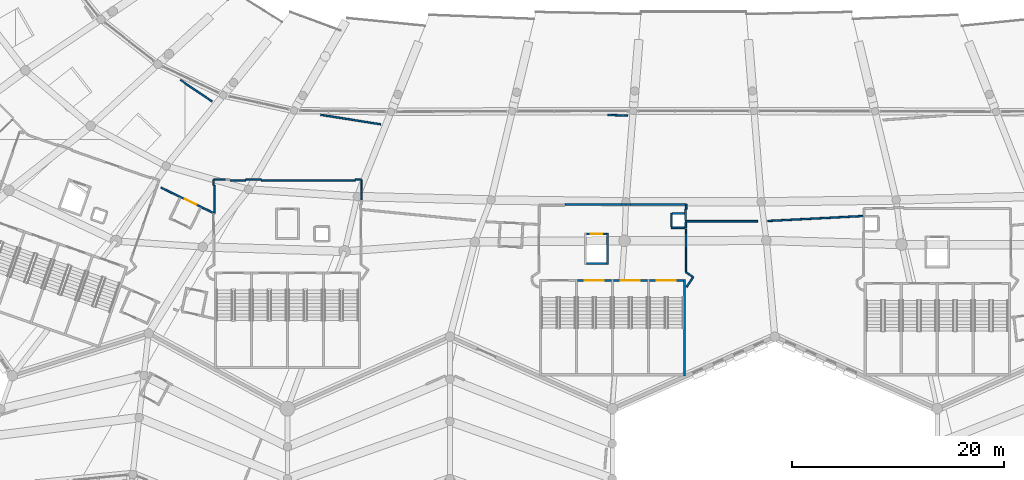
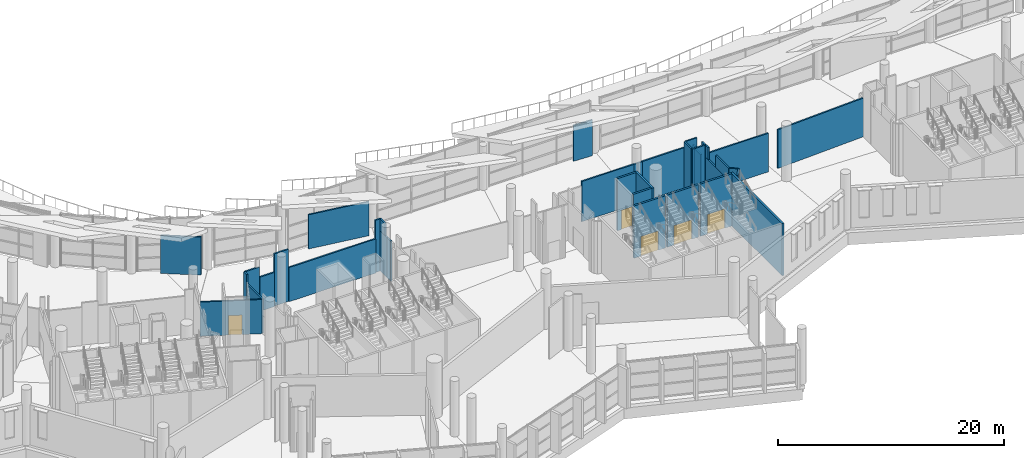
# One storey, part 143 of 249: 38 walls, 5 doors, 5 openings.
"""IFC4 building model written with IfcOpenShell, lengths in metres."""

from ifc_helpers import new_model, si_unit, direction, frame, frame_2d, origin, place, context, subcontext, project, spatial, rectangle, extrude, material, layer, layer_set, type_object, element, fill, save


model = new_model("IFC4")

# Units and contexts
model_context = context("Model", 3, precision=1e-05, world=origin(), true_north=direction((0.0, 1.0)))
body_context = subcontext(model_context, "Body", "Model", "MODEL_VIEW")
ifc_project = project(units=[si_unit("LENGTHUNIT", "METRE"), si_unit("AREAUNIT", "SQUARE_METRE"), si_unit("VOLUMEUNIT", "CUBIC_METRE"), si_unit("PLANEANGLEUNIT", "RADIAN"), si_unit("MASSUNIT", "GRAM", prefix="KILO")], contexts=[model_context])

# Site, building, storey
site_placement = place(None, origin())
site = spatial("IfcSite", under=ifc_project, at=site_placement, CompositionType="ELEMENT")
building_placement = place(site_placement, origin())
building = spatial("IfcBuilding", under=site, at=building_placement, Name="Meseta Stadium", CompositionType="ELEMENT")
storey_placement = place(building_placement, frame((0.0, 0.0, 12.0)))
storey = spatial("IfcBuildingStorey", under=building, at=storey_placement, Name="L02", CompositionType="ELEMENT", Elevation=12.0)

# Wall
ifc_material_1 = material(Name="Concrete C40/50", Category="concrete")
ifc_layer_1 = layer(ifc_material_1, 0.199951171875)
ifc_layer_set_1 = layer_set([ifc_layer_1], Name="Core shaft wall 200")
wall_type_1 = type_object("IfcWallType", Name="Core shaft wall 200", PredefinedType="SHEAR", material=ifc_layer_set_1)
wall_1_placement = place(storey_placement, frame((-0.86669921875, -102.300048828125, 0.0), z_axis=(0.0, 0.0, 1.0), x_axis=(0.0, 1.0, 0.0)))
element("IfcWall", 1, at=wall_1_placement, inside=storey, type_object=wall_type_1, Name="Core 24 L02 stair wall B-side", PredefinedType="SHEAR", context=body_context, shape_type="SweptSolid", body=[
    extrude(rectangle(XDim=9.10009765625, YDim=0.199951171875, at=frame_2d((4.550048828125, 0.0))), origin(), (0.0, 0.0, 1.0), 5.64990234375),
])

# Wall, opening, door
wall_2_placement = place(storey_placement, frame((-10.966796875, -93.300048828125, 0.0), z_axis=(0.0, 0.0, 1.0), x_axis=(1.0, 0.0, 0.0)))
wall_2 = element("IfcWall", 2, at=wall_2_placement, inside=storey, type_object=wall_type_1, Name="Core 24 L02 stair A2 inner end wall", PredefinedType="SHEAR", context=body_context, shape_type="SweptSolid", body=[
    extrude(rectangle(XDim=3.2001953125, YDim=0.199951171875, at=frame_2d((1.60009765625, 0.0))), origin(), (0.0, 0.0, 1.0), 5.64990234375),
])
opening_1_placement = place(wall_2_placement, frame((0.699951171875, 0.0, 0.0)))
opening_1 = element("IfcOpeningElement", 3, at=opening_1_placement, cuts=wall_2, Name="Opening D1119", PredefinedType="OPENING", context=body_context, shape_type="SweptSolid", body=[
    extrude(rectangle(XDim=1.800048828125, YDim=2.10009765625, at=frame_2d((0.89990234375, 1.050048828125))), frame((0.0, 0.10986328125, 0.0), z_axis=(0.0, -1.0, 0.0), x_axis=(1.0, 0.0, 0.0)), (0.0, 0.0, 1.0), 0.219970703125),
])
ifc_material_2 = material(Name="Steel", Category="steel")
door_type_1 = type_object("IfcDoorType", Name="Stair door 1800x2100", OperationType="DOUBLE_DOOR_SINGLE_SWING", PredefinedType="DOOR", material=ifc_material_2)
door_1_placement = place(opening_1_placement, origin())
door_1 = element("IfcDoor", 4, at=door_1_placement, inside=storey, type_object=door_type_1, Name="Stair A2 door 24 L02", OperationType="DOUBLE_DOOR_SINGLE_SWING", OverallHeight=2.10009765625, OverallWidth=1.800048828125, PredefinedType="DOOR", context=body_context, shape_type="SweptSolid", body=[
    extrude(rectangle(XDim=1.800048828125, YDim=2.10009765625, at=frame_2d((0.89990234375, 1.050048828125))), frame((0.0, 0.02490234375, 0.0), z_axis=(0.0, -1.0, 0.0), x_axis=(1.0, 0.0, 0.0)), (0.0, 0.0, 1.0), 0.050048828125),
])
fill(opening_1, door_1)

wall_3_placement = place(storey_placement, frame((-7.566650390625, -93.300048828125, 0.0), z_axis=(0.0, 0.0, 1.0), x_axis=(1.0, 0.0, 0.0)))
wall_3 = element("IfcWall", 5, at=wall_3_placement, inside=storey, type_object=wall_type_1, Name="Core 24 L02 stair B1 inner end wall", PredefinedType="SHEAR", context=body_context, shape_type="SweptSolid", body=[
    extrude(rectangle(XDim=3.199951171875, YDim=0.199951171875, at=frame_2d((1.60009765625, 0.0))), origin(), (0.0, 0.0, 1.0), 5.64990234375),
])
opening_2_placement = place(wall_3_placement, frame((0.699951171875, 0.0, 0.0)))
opening_2 = element("IfcOpeningElement", 6, at=opening_2_placement, cuts=wall_3, Name="Opening D1120", PredefinedType="OPENING", context=body_context, shape_type="SweptSolid", body=[
    extrude(rectangle(XDim=1.800048828125, YDim=2.10009765625, at=frame_2d((0.89990234375, 1.050048828125))), frame((0.0, 0.10986328125, 0.0), z_axis=(0.0, -1.0, 0.0), x_axis=(1.0, 0.0, 0.0)), (0.0, 0.0, 1.0), 0.219970703125),
])
door_2_placement = place(opening_2_placement, origin())
door_2 = element("IfcDoor", 7, at=door_2_placement, inside=storey, type_object=door_type_1, Name="Stair B1 door 24 L02", OperationType="DOUBLE_DOOR_SINGLE_SWING", OverallHeight=2.10009765625, OverallWidth=1.800048828125, PredefinedType="DOOR", context=body_context, shape_type="SweptSolid", body=[
    extrude(rectangle(XDim=1.800048828125, YDim=2.10009765625, at=frame_2d((0.89990234375, 1.050048828125))), frame((0.0, 0.02490234375, 0.0), z_axis=(0.0, -1.0, 0.0), x_axis=(1.0, 0.0, 0.0)), (0.0, 0.0, 1.0), 0.050048828125),
])
fill(opening_2, door_2)

wall_4_placement = place(storey_placement, frame((-4.166748046875, -93.300048828125, 0.0), z_axis=(0.0, 0.0, 1.0), x_axis=(1.0, 0.0, 0.0)))
wall_4 = element("IfcWall", 8, at=wall_4_placement, inside=storey, type_object=wall_type_1, Name="Core 24 L02 stair B2 inner end wall", PredefinedType="SHEAR", context=body_context, shape_type="SweptSolid", body=[
    extrude(rectangle(XDim=3.199951171875, YDim=0.199951171875, at=frame_2d((1.60009765625, 0.0))), origin(), (0.0, 0.0, 1.0), 5.64990234375),
])
opening_3_placement = place(wall_4_placement, frame((0.699951171875, 0.0, 0.0)))
opening_3 = element("IfcOpeningElement", 9, at=opening_3_placement, cuts=wall_4, Name="Opening D1121", PredefinedType="OPENING", context=body_context, shape_type="SweptSolid", body=[
    extrude(rectangle(XDim=1.800048828125, YDim=2.10009765625, at=frame_2d((0.89990234375, 1.050048828125))), frame((0.0, 0.10986328125, 0.0), z_axis=(0.0, -1.0, 0.0), x_axis=(1.0, 0.0, 0.0)), (0.0, 0.0, 1.0), 0.219970703125),
])
door_3_placement = place(opening_3_placement, origin())
door_3 = element("IfcDoor", 10, at=door_3_placement, inside=storey, type_object=door_type_1, Name="Stair B2 door 24 L02", OperationType="DOUBLE_DOOR_SINGLE_SWING", OverallHeight=2.10009765625, OverallWidth=1.800048828125, PredefinedType="DOOR", context=body_context, shape_type="SweptSolid", body=[
    extrude(rectangle(XDim=1.800048828125, YDim=2.10009765625, at=frame_2d((0.89990234375, 1.050048828125))), frame((0.0, 0.02490234375, 0.0), z_axis=(0.0, -1.0, 0.0), x_axis=(1.0, 0.0, 0.0)), (0.0, 0.0, 1.0), 0.050048828125),
])
fill(opening_3, door_3)

# Walls
wall_5_placement = place(storey_placement, frame((-8.11669921875, -91.800048828125, 0.0), z_axis=(0.0, 0.0, 1.0), x_axis=(0.0, 1.0, 0.0)))
element("IfcWall", 11, at=wall_5_placement, inside=storey, type_object=wall_type_1, Name="Core 24 L02 lift shaft wall right", PredefinedType="SHEAR", context=body_context, shape_type="SweptSolid", body=[
    extrude(rectangle(XDim=3.0, YDim=0.199951171875, at=frame_2d((1.5, 0.0))), origin(), (0.0, 0.0, 1.0), 5.64990234375),
])
wall_6_placement = place(storey_placement, frame((-10.11669921875, -91.699951171875, 0.0), z_axis=(0.0, 0.0, 1.0), x_axis=(1.0, 0.0, 0.0)))
element("IfcWall", 12, at=wall_6_placement, inside=storey, type_object=wall_type_1, Name="Core 24 L02 lift shaft back wall", PredefinedType="SHEAR", context=body_context, shape_type="SweptSolid", body=[
    extrude(rectangle(XDim=1.89990234375, YDim=0.199951171875, at=frame_2d((0.949951171875, 0.0))), origin(), (0.0, 0.0, 1.0), 5.64990234375),
])

# Wall, opening, door
wall_7_placement = place(storey_placement, frame((-10.11669921875, -88.89990234375, 0.0), z_axis=(0.0, 0.0, 1.0), x_axis=(1.0, 0.0, 0.0)))
wall_7 = element("IfcWall", 13, at=wall_7_placement, inside=storey, type_object=wall_type_1, Name="Core 24 L02 lift shaft front wall", PredefinedType="SHEAR", context=body_context, shape_type="SweptSolid", body=[
    extrude(rectangle(XDim=1.89990234375, YDim=0.199951171875, at=frame_2d((0.949951171875, 0.0))), origin(), (0.0, 0.0, 1.0), 5.64990234375),
])
opening_4_placement = place(wall_7_placement, frame((0.39990234375, 0.0, 0.0)))
opening_4 = element("IfcOpeningElement", 14, at=opening_4_placement, cuts=wall_7, Name="Opening LD132", PredefinedType="OPENING", context=body_context, shape_type="SweptSolid", body=[
    extrude(rectangle(XDim=1.10009765625, YDim=2.10009765625, at=frame_2d((0.550048828125, 1.050048828125))), frame((0.0, 0.10986328125, 0.0), z_axis=(0.0, -1.0, 0.0), x_axis=(1.0, 0.0, 0.0)), (0.0, 0.0, 1.0), 0.219970703125),
])
ifc_material_3 = material(Name="Steel", Category="steel")
door_type_2 = type_object("IfcDoorType", Name="Lift landing door 1100x2100", OperationType="SLIDING_TO_LEFT", PredefinedType="DOOR", material=ifc_material_3)
door_4_placement = place(opening_4_placement, origin())
door_4 = element("IfcDoor", 15, at=door_4_placement, inside=storey, type_object=door_type_2, Name="Lift landing door LD132", OperationType="SLIDING_TO_RIGHT", OverallHeight=2.10009765625, OverallWidth=1.10009765625, PredefinedType="DOOR", context=body_context, shape_type="SweptSolid", body=[
    extrude(rectangle(XDim=1.10009765625, YDim=2.10009765625, at=frame_2d((0.550048828125, 1.050048828125))), frame((0.0, 0.02490234375, 0.0), z_axis=(0.0, -1.0, 0.0), x_axis=(1.0, 0.0, 0.0)), (0.0, 0.0, 1.0), 0.050048828125),
])
fill(opening_4, door_4)

# Walls
ifc_material_4 = material(Name="Masonry blockwork", Category="masonry")
ifc_layer_2 = layer(ifc_material_4, 0.14990234375)
ifc_layer_set_2 = layer_set([ifc_layer_2], Name="Partition 150")
wall_type_2 = type_object("IfcWallType", Name="Partition 150", PredefinedType="PARTITIONING", material=ifc_layer_set_2)
wall_8_placement = place(storey_placement, frame((-48.431884765625, -74.37158203125, 0.0), z_axis=(0.0, 0.0, 1.0), x_axis=(0.825645692155, -0.56418896748, 0.0)))
element("IfcWall", 16, at=wall_8_placement, inside=storey, type_object=wall_type_2, Name="Partition L02 L02-cell20-0-0", PredefinedType="PARTITIONING", context=body_context, shape_type="SweptSolid", body=[
    extrude(rectangle(XDim=3.608154296875, YDim=0.14990234375, at=frame_2d((1.80419921875, 0.0))), origin(), (0.0, 0.0, 1.0), 4.118408203125),
])
wall_9_placement = place(storey_placement, frame((-35.210693359375, -77.658203125, 0.0), z_axis=(0.0, 0.0, 1.0), x_axis=(0.987660465211, -0.156610361914, 0.0)))
element("IfcWall", 17, at=wall_9_placement, inside=storey, type_object=wall_type_2, Name="Partition L02 L02-cell21-0-0", PredefinedType="PARTITIONING", context=body_context, shape_type="SweptSolid", body=[
    extrude(rectangle(XDim=5.747802734375, YDim=0.14990234375, at=frame_2d((2.8740234375, 0.0))), origin(), (0.0, 0.0, 1.0), 3.696533203125),
])
wall_10_placement = place(storey_placement, frame((-31.92626953125, -83.85107421875, 0.0), z_axis=(0.0, 0.0, 1.0), x_axis=(-1.0, 0.0, 0.0)))
element("IfcWall", 18, at=wall_10_placement, inside=storey, type_object=wall_type_2, Name="Partition L02 L02-cell21-0-0", PredefinedType="PARTITIONING", context=body_context, shape_type="SweptSolid", body=[
    extrude(rectangle(XDim=8.871337890625, YDim=0.14990234375, at=frame_2d((4.435546875, 0.0))), origin(), (0.0, 0.0, 1.0), 3.696533203125),
])
wall_11_placement = place(storey_placement, frame((-42.276123046875, -83.85107421875, 0.0), z_axis=(0.0, 0.0, 1.0), x_axis=(-1.0, 0.0, 0.0)))
element("IfcWall", 19, at=wall_11_placement, inside=storey, type_object=wall_type_2, Name="Partition L02 L02-cell21-0-0", PredefinedType="PARTITIONING", context=body_context, shape_type="SweptSolid", body=[
    extrude(rectangle(XDim=1.478759765625, YDim=0.14990234375, at=frame_2d((0.7392578125, 0.0))), origin(), (0.0, 0.0, 1.0), 3.696533203125),
])
wall_12_placement = place(storey_placement, frame((-45.2333984375, -84.29638671875, 0.0), z_axis=(0.0, 0.0, 1.0), x_axis=(0.0, -1.0, 0.0)))
element("IfcWall", 20, at=wall_12_placement, inside=storey, type_object=wall_type_2, Name="Partition L02 L02-cell21-0-0", PredefinedType="PARTITIONING", context=body_context, shape_type="SweptSolid", body=[
    extrude(rectangle(XDim=2.671142578125, YDim=0.14990234375, at=frame_2d((1.33544921875, 0.0))), origin(), (0.0, 0.0, 1.0), 3.696533203125),
])

# Wall, opening, door
wall_13_placement = place(storey_placement, frame((-45.308349609375, -86.931396484375, 0.0), z_axis=(0.0, 0.0, 1.0), x_axis=(-0.90052298219, 0.434808415911, 0.0)))
wall_13 = element("IfcWall", 21, at=wall_13_placement, inside=storey, type_object=wall_type_2, Name="Partition L02 L02-cell21-0-0", PredefinedType="PARTITIONING", context=body_context, shape_type="SweptSolid", body=[
    extrude(rectangle(XDim=5.521728515625, YDim=0.14990234375, at=frame_2d((2.7607421875, 0.0))), origin(), (0.0, 0.0, 1.0), 3.696533203125),
])
opening_5_placement = place(wall_13_placement, frame((1.800048828125, 0.0, 0.0)))
opening_5 = element("IfcOpeningElement", 22, at=opening_5_placement, cuts=wall_13, Name="Opening D1089", PredefinedType="OPENING", context=body_context, shape_type="SweptSolid", body=[
    extrude(rectangle(XDim=1.199951171875, YDim=2.10009765625, at=frame_2d((0.60009765625, 1.050048828125))), frame((0.0, 0.0849609375, 0.0), z_axis=(0.0, -1.0, 0.0), x_axis=(1.0, 0.0, 0.0)), (0.0, 0.0, 1.0), 0.169921875),
])
ifc_material_5 = material(Name="Steel", Category="steel")
door_type_3 = type_object("IfcDoorType", Name="Fire door 1200x2100 EI2 60", OperationType="NOTDEFINED", PredefinedType="DOOR", material=ifc_material_5)
door_5_placement = place(opening_5_placement, origin())
door_5 = element("IfcDoor", 23, at=door_5_placement, inside=storey, type_object=door_type_3, Name="Room door L02 L02-cell21-0-0", OperationType="SINGLE_SWING_LEFT", OverallHeight=2.10009765625, OverallWidth=1.199951171875, PredefinedType="DOOR", context=body_context, shape_type="SweptSolid", body=[
    extrude(rectangle(XDim=1.199951171875, YDim=2.10009765625, at=frame_2d((0.60009765625, 1.050048828125))), frame((0.0, 0.02490234375, 0.0), z_axis=(0.0, -1.0, 0.0), x_axis=(1.0, 0.0, 0.0)), (0.0, 0.0, 1.0), 0.050048828125),
])
fill(opening_5, door_5)

# Walls
wall_14_placement = place(storey_placement, frame((-8.122802734375, -77.671142578125, 0.0), z_axis=(0.0, 0.0, 1.0), x_axis=(0.999290037332, -0.037675207871, 0.0)))
element("IfcWall", 24, at=wall_14_placement, inside=storey, type_object=wall_type_2, Name="Partition L02 L02-cell22-0-0", PredefinedType="PARTITIONING", context=body_context, shape_type="SweptSolid", body=[
    extrude(rectangle(XDim=1.9052734375, YDim=0.14990234375, at=frame_2d((0.95263671875, 0.0))), origin(), (0.0, 0.0, 1.0), 3.872802734375),
])
wall_15_placement = place(storey_placement, frame((16.02490234375, -87.2138671875, 0.0), z_axis=(0.0, 0.0, 1.0), x_axis=(-0.998660530851, -0.051741126006, 0.0)))
element("IfcWall", 25, at=wall_15_placement, inside=storey, type_object=wall_type_2, Name="Partition L02 L02-cell23-0-0", PredefinedType="PARTITIONING", context=body_context, shape_type="SweptSolid", body=[
    extrude(rectangle(XDim=9.026611328125, YDim=0.14990234375, at=frame_2d((4.51318359375, 0.0))), origin(), (0.0, 0.0, 1.0), 4.181396484375),
])
wall_16_placement = place(storey_placement, frame((6.045654296875, -87.705810546875, 0.0), z_axis=(0.0, 0.0, 1.0), x_axis=(-1.0, 0.0, 0.0)))
element("IfcWall", 26, at=wall_16_placement, inside=storey, type_object=wall_type_2, Name="Partition L02 L02-cell23-0-0", PredefinedType="PARTITIONING", context=body_context, shape_type="SweptSolid", body=[
    extrude(rectangle(XDim=6.812255859375, YDim=0.14990234375, at=frame_2d((3.40625, 0.0))), origin(), (0.0, 0.0, 1.0), 4.181396484375),
])
wall_17_placement = place(storey_placement, frame((-0.7666015625, -87.630859375, 0.0), z_axis=(0.0, 0.0, 1.0), x_axis=(0.0, 1.0, 0.0)))
element("IfcWall", 27, at=wall_17_placement, inside=storey, type_object=wall_type_2, Name="Partition L02 L02-cell23-0-0", PredefinedType="PARTITIONING", context=body_context, shape_type="SweptSolid", body=[
    extrude(rectangle(XDim=1.054443359375, YDim=0.14990234375, at=frame_2d((0.52734375, 0.0))), origin(), (0.0, 0.0, 1.0), 4.181396484375),
])
wall_18_placement = place(storey_placement, frame((-31.3583984375, -85.044189453125, 0.0), z_axis=(0.0, 0.0, 1.0), x_axis=(0.0, 1.0, 0.0)))
element("IfcWall", 28, at=wall_18_placement, inside=storey, type_object=wall_type_2, Name="Stair vestibule wall L02 core 23", PredefinedType="PARTITIONING", context=body_context, shape_type="SweptSolid", body=[
    extrude(rectangle(XDim=1.26806640625, YDim=0.14990234375, at=frame_2d((0.634033203125, 0.0))), origin(), (0.0, 0.0, 1.0), 4.35009765625),
])
wall_19_placement = place(storey_placement, frame((-31.3583984375, -84.701171875, 4.35009765625), z_axis=(0.0, 0.0, 1.0), x_axis=(0.0, 1.0, 0.0)))
element("IfcWall", 29, at=wall_19_placement, inside=storey, type_object=wall_type_2, Name="Stair vestibule wall L02 core 23", PredefinedType="PARTITIONING", context=body_context, shape_type="SweptSolid", body=[
    extrude(rectangle(XDim=0.925048828125, YDim=0.14990234375, at=frame_2d((0.46240234375, 0.0))), origin(), (0.0, 0.0, 1.0), 1.2998046875),
])
wall_20_placement = place(storey_placement, frame((-31.3583984375, -83.776123046875, 0.0), z_axis=(0.0, 0.0, 1.0), x_axis=(-1.0, 0.0, 0.0)))
element("IfcWall", 30, at=wall_20_placement, inside=storey, type_object=wall_type_2, Name="Stair vestibule wall L02 core 23", PredefinedType="PARTITIONING", context=body_context, shape_type="SweptSolid", body=[
    extrude(rectangle(XDim=0.557861328125, YDim=0.14990234375, at=frame_2d((0.27880859375, 0.0))), origin(), (0.0, 0.0, 1.0), 5.64990234375),
])
wall_21_placement = place(storey_placement, frame((-40.8076171875, -83.776123046875, 0.0), z_axis=(0.0, 0.0, 1.0), x_axis=(-1.0, 0.0, 0.0)))
element("IfcWall", 31, at=wall_21_placement, inside=storey, type_object=wall_type_2, Name="Stair vestibule wall L02 core 23", PredefinedType="PARTITIONING", context=body_context, shape_type="SweptSolid", body=[
    extrude(rectangle(XDim=1.45849609375, YDim=0.14990234375, at=frame_2d((0.729248046875, 0.0))), origin(), (0.0, 0.0, 1.0), 5.64990234375),
])
wall_22_placement = place(storey_placement, frame((-43.764892578125, -83.776123046875, 0.0), z_axis=(0.0, 0.0, 1.0), x_axis=(-1.0, 0.0, 0.0)))
element("IfcWall", 32, at=wall_22_placement, inside=storey, type_object=wall_type_2, Name="Stair vestibule wall L02 core 23", PredefinedType="PARTITIONING", context=body_context, shape_type="SweptSolid", body=[
    extrude(rectangle(XDim=1.543701171875, YDim=0.14990234375, at=frame_2d((0.77197265625, 0.0))), origin(), (0.0, 0.0, 1.0), 4.75),
])
wall_23_placement = place(storey_placement, frame((-45.30859375, -83.776123046875, 0.0), z_axis=(0.0, 0.0, 1.0), x_axis=(0.003347661777, -0.999994396565, 0.0)))
element("IfcWall", 33, at=wall_23_placement, inside=storey, type_object=wall_type_2, Name="Stair vestibule wall L02 core 23", PredefinedType="PARTITIONING", context=body_context, shape_type="SweptSolid", body=[
    extrude(rectangle(XDim=0.510498046875, YDim=0.14990234375, at=frame_2d((0.25537109375, 0.0))), origin(), (0.0, 0.0, 1.0), 4.75),
])
wall_24_placement = place(storey_placement, frame((-31.3583984375, -85.709228515625, 0.0), z_axis=(0.0, 0.0, 1.0), x_axis=(0.0, 1.0, 0.0)))
element("IfcWall", 34, at=wall_24_placement, inside=storey, type_object=wall_type_2, Name="Stair vestibule wall L02 core 23", PredefinedType="PARTITIONING", context=body_context, shape_type="SweptSolid", body=[
    extrude(rectangle(XDim=0.6650390625, YDim=0.14990234375, at=frame_2d((0.33251953125, 0.0))), origin(), (0.0, 0.0, 1.0), 4.35009765625),
])
wall_25_placement = place(storey_placement, frame((-2.091796875, -88.324951171875, 0.0), z_axis=(0.0, 0.0, 1.0), x_axis=(1.0, 0.0, 0.0)))
element("IfcWall", 35, at=wall_25_placement, inside=storey, type_object=wall_type_2, Name="Pressurisation shaft wall L02 core 24", PredefinedType="PARTITIONING", context=body_context, shape_type="SweptSolid", body=[
    extrude(rectangle(XDim=1.275146484375, YDim=0.14990234375, at=frame_2d((0.6376953125, 0.0))), origin(), (0.0, 0.0, 1.0), 5.64990234375),
])
wall_26_placement = place(storey_placement, frame((-0.74169921875, -88.324951171875, 0.0), z_axis=(0.0, 0.0, 1.0), x_axis=(0.0, 1.0, 0.0)))
element("IfcWall", 36, at=wall_26_placement, inside=storey, type_object=wall_type_2, Name="Pressurisation shaft wall L02 core 24", PredefinedType="PARTITIONING", context=body_context, shape_type="SweptSolid", body=[
    extrude(rectangle(XDim=0.543212890625, YDim=0.14990234375, at=frame_2d((0.271484375, 0.0))), origin(), (0.0, 0.0, 1.0), 5.64990234375),
])
wall_27_placement = place(storey_placement, frame((-0.8427734375, -86.97509765625, 0.0), z_axis=(0.0, 0.0, 1.0), x_axis=(-1.0, 0.0, 0.0)))
element("IfcWall", 37, at=wall_27_placement, inside=storey, type_object=wall_type_2, Name="Pressurisation shaft wall L02 core 24", PredefinedType="PARTITIONING", context=body_context, shape_type="SweptSolid", body=[
    extrude(rectangle(XDim=1.173828125, YDim=0.14990234375, at=frame_2d((0.5869140625, 0.0))), origin(), (0.0, 0.0, 1.0), 5.64990234375),
])
wall_28_placement = place(storey_placement, frame((-2.091796875, -86.97509765625, 0.0), z_axis=(0.0, 0.0, 1.0), x_axis=(0.0, -1.0, 0.0)))
element("IfcWall", 38, at=wall_28_placement, inside=storey, type_object=wall_type_2, Name="Pressurisation shaft wall L02 core 24", PredefinedType="PARTITIONING", context=body_context, shape_type="SweptSolid", body=[
    extrude(rectangle(XDim=1.27490234375, YDim=0.14990234375, at=frame_2d((0.637451171875, 0.0))), origin(), (0.0, 0.0, 1.0), 5.64990234375),
])
wall_29_placement = place(storey_placement, frame((-0.677001953125, -93.919677734375, 0.0), z_axis=(0.0, 0.0, 1.0), x_axis=(0.561972470497, 0.827155935966, 0.0)))
element("IfcWall", 39, at=wall_29_placement, inside=storey, type_object=wall_type_2, Name="Stair vestibule wall L02 core 24", PredefinedType="PARTITIONING", context=body_context, shape_type="SweptSolid", body=[
    extrude(rectangle(XDim=1.127685546875, YDim=0.14990234375, at=frame_2d((0.56396484375, 0.0))), origin(), (0.0, 0.0, 1.0), 5.64990234375),
])
wall_30_placement = place(storey_placement, frame((-0.043212890625, -92.98681640625, 0.0), z_axis=(0.0, 0.0, 1.0), x_axis=(-0.81774999294, 0.575573582652, 0.0)))
element("IfcWall", 40, at=wall_30_placement, inside=storey, type_object=wall_type_2, Name="Stair vestibule wall L02 core 24", PredefinedType="PARTITIONING", context=body_context, shape_type="SweptSolid", body=[
    extrude(rectangle(XDim=0.82958984375, YDim=0.14990234375, at=frame_2d((0.414794921875, 0.0))), origin(), (0.0, 0.0, 1.0), 5.64990234375),
])
wall_31_placement = place(storey_placement, frame((-0.7216796875, -92.50927734375, 0.0), z_axis=(0.0, 0.0, 1.0), x_axis=(0.0, 1.0, 0.0)))
element("IfcWall", 41, at=wall_31_placement, inside=storey, type_object=wall_type_2, Name="Stair vestibule wall L02 core 24", PredefinedType="PARTITIONING", context=body_context, shape_type="SweptSolid", body=[
    extrude(rectangle(XDim=4.103515625, YDim=0.14990234375, at=frame_2d((2.0517578125, 0.0))), origin(), (0.0, 0.0, 1.0), 4.35009765625),
])
wall_32_placement = place(storey_placement, frame((-0.7216796875, -92.50927734375, 4.35009765625), z_axis=(0.0, 0.0, 1.0), x_axis=(0.0, 1.0, 0.0)))
element("IfcWall", 42, at=wall_32_placement, inside=storey, type_object=wall_type_2, Name="Stair vestibule wall L02 core 24", PredefinedType="PARTITIONING", context=body_context, shape_type="SweptSolid", body=[
    extrude(rectangle(XDim=2.27978515625, YDim=0.14990234375, at=frame_2d((1.139892578125, 0.0))), origin(), (0.0, 0.0, 1.0), 1.2998046875),
])
wall_33_placement = place(storey_placement, frame((-0.7216796875, -88.86181640625, 4.35009765625), z_axis=(0.0, 0.0, 1.0), x_axis=(0.0, 1.0, 0.0)))
element("IfcWall", 43, at=wall_33_placement, inside=storey, type_object=wall_type_2, Name="Stair vestibule wall L02 core 24", PredefinedType="PARTITIONING", context=body_context, shape_type="SweptSolid", body=[
    extrude(rectangle(XDim=0.4560546875, YDim=0.14990234375, at=frame_2d((0.22802734375, 0.0))), origin(), (0.0, 0.0, 1.0), 1.2998046875),
])
wall_34_placement = place(storey_placement, frame((-0.691650390625, -86.56640625, 0.0), z_axis=(0.0, 0.0, 1.0), x_axis=(0.0, 1.0, 0.0)))
element("IfcWall", 44, at=wall_34_placement, inside=storey, type_object=wall_type_2, Name="Stair vestibule wall L02 core 24", PredefinedType="PARTITIONING", context=body_context, shape_type="SweptSolid", body=[
    extrude(rectangle(XDim=0.44140625, YDim=0.14990234375, at=frame_2d((0.220703125, 0.0))), origin(), (0.0, 0.0, 1.0), 4.35009765625),
])
wall_35_placement = place(storey_placement, frame((-0.691650390625, -86.125, 0.0), z_axis=(0.0, 0.0, 1.0), x_axis=(-1.0, 0.0, 0.0)))
element("IfcWall", 45, at=wall_35_placement, inside=storey, type_object=wall_type_2, Name="Stair vestibule wall L02 core 24", PredefinedType="PARTITIONING", context=body_context, shape_type="SweptSolid", body=[
    extrude(rectangle(XDim=5.279052734375, YDim=0.14990234375, at=frame_2d((2.6396484375, 0.0))), origin(), (0.0, 0.0, 1.0), 4.35009765625),
])
wall_36_placement = place(storey_placement, frame((-6.80322265625, -86.125, 0.0), z_axis=(0.0, 0.0, 1.0), x_axis=(-1.0, 0.0, 0.0)))
element("IfcWall", 46, at=wall_36_placement, inside=storey, type_object=wall_type_2, Name="Stair vestibule wall L02 core 24", PredefinedType="PARTITIONING", context=body_context, shape_type="SweptSolid", body=[
    extrude(rectangle(XDim=5.355224609375, YDim=0.14990234375, at=frame_2d((2.677734375, 0.0))), origin(), (0.0, 0.0, 1.0), 4.35009765625),
])
wall_37_placement = place(storey_placement, frame((-5.970703125, -86.125, 0.0), z_axis=(0.0, 0.0, 1.0), x_axis=(-1.0, 0.0, 0.0)))
element("IfcWall", 47, at=wall_37_placement, inside=storey, type_object=wall_type_2, Name="Stair vestibule wall L02 core 24", PredefinedType="PARTITIONING", context=body_context, shape_type="SweptSolid", body=[
    extrude(rectangle(XDim=0.41650390625, YDim=0.14990234375, at=frame_2d((0.208251953125, 0.0))), origin(), (0.0, 0.0, 1.0), 4.35009765625),
])
wall_38_placement = place(storey_placement, frame((-6.38720703125, -86.125, 0.0), z_axis=(0.0, 0.0, 1.0), x_axis=(-1.0, 0.0, 0.0)))
element("IfcWall", 48, at=wall_38_placement, inside=storey, type_object=wall_type_2, Name="Stair vestibule wall L02 core 24", PredefinedType="PARTITIONING", context=body_context, shape_type="SweptSolid", body=[
    extrude(rectangle(XDim=0.416015625, YDim=0.14990234375, at=frame_2d((0.2080078125, 0.0))), origin(), (0.0, 0.0, 1.0), 4.35009765625),
])

save(model, "model.ifc")
